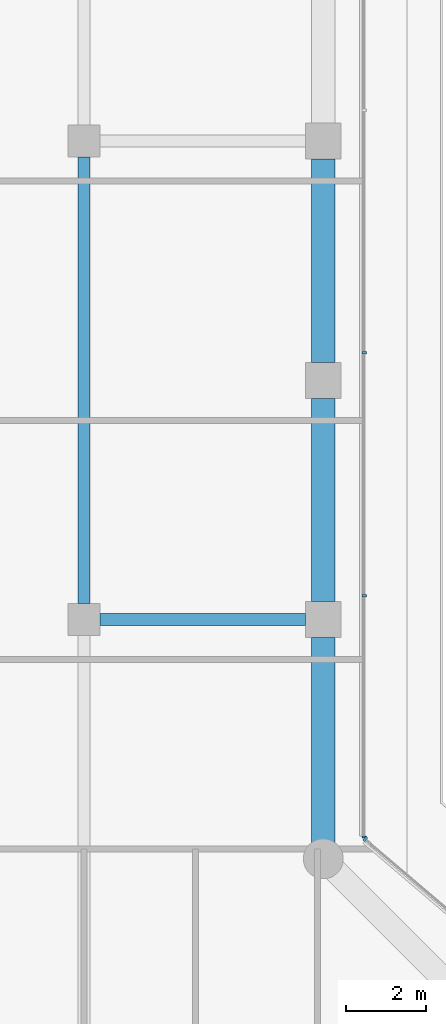
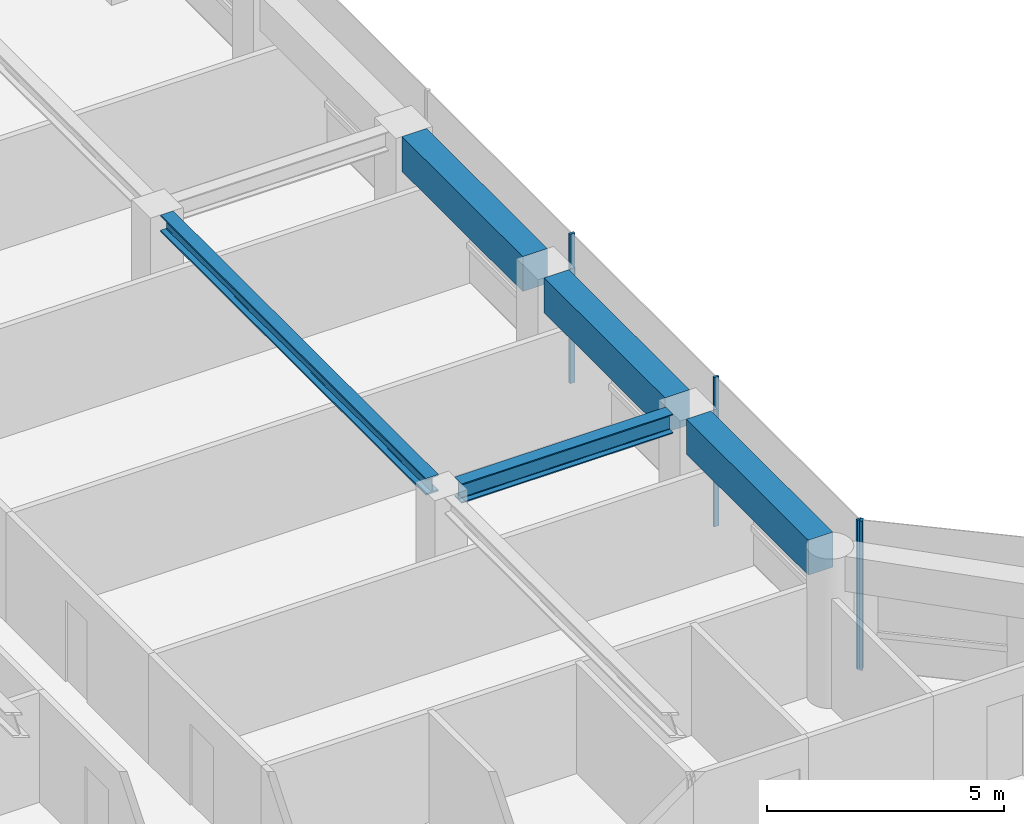
# One storey, part 11 of 25: 5 beams, 4 members, 2 elements without a shape of their own.
"""IFC4 building model written with IfcOpenShell, lengths in metres."""

from ifc_helpers import new_model, si_unit, direction, frame, origin, origin_2d, place, context, subcontext, project, spatial, rectangle, i_section, extrude, material, layer, layer_set, material_profile, profile_set, type_object, element, aggregate, save


model = new_model("IFC4")

# Units and contexts
model_context = context("Model", 3, precision=1e-05, world=origin(), true_north=direction((0.0, 1.0)))
body_context = subcontext(model_context, "Body", "Model", "MODEL_VIEW")
ifc_project = project(units=[si_unit("LENGTHUNIT", "METRE"), si_unit("AREAUNIT", "SQUARE_METRE"), si_unit("VOLUMEUNIT", "CUBIC_METRE"), si_unit("PLANEANGLEUNIT", "RADIAN"), si_unit("MASSUNIT", "GRAM", prefix="KILO")], contexts=[model_context])

# Site, building, storey
site_placement = place(None, origin())
site = spatial("IfcSite", under=ifc_project, at=site_placement, CompositionType="ELEMENT")
building_placement = place(site_placement, origin())
building = spatial("IfcBuilding", under=site, at=building_placement, Name="Welwitschia Terrace Campus", CompositionType="ELEMENT")
storey_placement = place(building_placement, frame((0.0, 0.0, 92.0)))
storey = spatial("IfcBuildingStorey", under=building, at=storey_placement, Name="L20", CompositionType="ELEMENT", Elevation=92.0)

# Beam
ifc_material_1 = material(Name="Steel S355", Category="steel")
ifc_material_profile_1 = material_profile(ifc_material_1, i_section(OverallWidth=0.306884765625, OverallDepth=0.431884765625, WebThickness=0.02099609375, FlangeThickness=0.0400390625, FilletRadius=0.027099609375, at=origin_2d()))
ifc_profile_set_1 = profile_set([ifc_material_profile_1], Name="Steel S355")
beam_type_1 = type_object("IfcBeamType", Name="Interior girder HE 400 M", PredefinedType="BEAM", material=ifc_profile_set_1)
beam_1_placement = place(storey_placement, frame((18.0, 40.400390625, 3.634033203125), z_axis=(0.0, 1.0, 0.0), x_axis=(-1.0, 0.0, 0.0)))
element("IfcBeam", 1, at=beam_1_placement, inside=storey, type_object=beam_type_1, Name="Girder GB3", PredefinedType="BEAM", context=body_context, shape_type="SweptSolid", body=[
    extrude(i_section(OverallWidth=0.306884765625, OverallDepth=0.431884765625, WebThickness=0.02099609375, FlangeThickness=0.0400390625, FilletRadius=0.027099609375, at=origin_2d()), origin(), (0.0, 0.0, 1.0), 11.19921875),
])

# Curtain wall, member
ifc_material_2 = material(Name="Bronze anodised aluminium", Category="aluminium")
ifc_layer = layer(ifc_material_2, 0.1201171875)
ifc_layer_set = layer_set([ifc_layer], Name="Bronze anodised aluminium")
curtain_wall_type = type_object("IfcCurtainWallType", Name="Curtain wall CW2 tower 6000", PredefinedType="NOTDEFINED", material=ifc_layer_set)
curtain_wall_1_placement = place(storey_placement, origin())
curtain_wall_1 = element("IfcCurtainWall", 2, at=curtain_wall_1_placement, inside=storey, type_object=curtain_wall_type, Name="CW L20.9.0", PredefinedType="NOTDEFINED")
ifc_material_3 = material(Name="Bronze anodised aluminium", Category="aluminium")
ifc_material_profile_2 = material_profile(ifc_material_3, rectangle(XDim=0.1201171875, YDim=0.06005859375, at=origin_2d()))
ifc_profile_set_2 = profile_set([ifc_material_profile_2], Name="Bronze anodised aluminium")
member_type = type_object("IfcMemberType", Name="Mullion 60x120", PredefinedType="MULLION", material=ifc_profile_set_2)
member_1_placement = place(storey_placement, frame((25.052734375, 34.498046875, 0.0), z_axis=(0.0, 0.0, 1.0), x_axis=(-0.64944804833, -0.7604059656, 0.0)))
member_1 = element("IfcMember", 3, at=member_1_placement, type_object=member_type, Name="Mullion L20.9.0.1", PredefinedType="MULLION", context=body_context, shape_type="SweptSolid", body=[
    extrude(rectangle(XDim=0.1201171875, YDim=0.06005859375, at=origin_2d()), origin(), (0.0, 0.0, 1.0), 3.85009765625),
])
aggregate(curtain_wall_1, [member_1])

# Curtain wall, members
curtain_wall_2_placement = place(storey_placement, origin())
curtain_wall_2 = element("IfcCurtainWall", 4, at=curtain_wall_2_placement, inside=storey, type_object=curtain_wall_type, Name="CW L20.10.0", PredefinedType="NOTDEFINED")
member_2_placement = place(storey_placement, frame((25.030029296875, 34.547607421875, 0.0), z_axis=(0.0, 0.0, 1.0), x_axis=(-1.0, 0.0, 0.0)))
member_2 = element("IfcMember", 5, at=member_2_placement, type_object=member_type, Name="Mullion L20.10.0.0", PredefinedType="MULLION", context=body_context, shape_type="SweptSolid", body=[
    extrude(rectangle(XDim=0.1201171875, YDim=0.06005859375, at=origin_2d()), origin(), (0.0, 0.0, 1.0), 3.85009765625),
])
member_3_placement = place(storey_placement, frame((25.030029296875, 40.60302734375, 0.0), z_axis=(0.0, 0.0, 1.0), x_axis=(-1.0, 0.0, 0.0)))
member_3 = element("IfcMember", 6, at=member_3_placement, type_object=member_type, Name="Mullion L20.10.0.1", PredefinedType="MULLION", context=body_context, shape_type="SweptSolid", body=[
    extrude(rectangle(XDim=0.1201171875, YDim=0.06005859375, at=origin_2d()), origin(), (0.0, 0.0, 1.0), 3.85009765625),
])
member_4_placement = place(storey_placement, frame((25.030029296875, 46.6884765625, 0.0), z_axis=(0.0, 0.0, 1.0), x_axis=(-1.0, 0.0, 0.0)))
member_4 = element("IfcMember", 7, at=member_4_placement, type_object=member_type, Name="Mullion L20.10.0.2", PredefinedType="MULLION", context=body_context, shape_type="SweptSolid", body=[
    extrude(rectangle(XDim=0.1201171875, YDim=0.06005859375, at=origin_2d()), origin(), (0.0, 0.0, 1.0), 3.85009765625),
])
aggregate(curtain_wall_2, [member_2, member_3, member_4])

# Beams
ifc_material_4 = material(Name="Steel S355", Category="steel")
ifc_material_profile_3 = material_profile(ifc_material_4, i_section(OverallWidth=0.300048828125, OverallDepth=0.5, WebThickness=0.014404296875, FlangeThickness=0.028076171875, FilletRadius=0.027099609375, at=origin_2d()))
ifc_profile_set_3 = profile_set([ifc_material_profile_3], Name="Steel S355")
beam_type_2 = type_object("IfcBeamType", Name="Primary beam HE 500 B", PredefinedType="BEAM", material=ifc_profile_set_3)
beam_2_placement = place(storey_placement, frame((23.549560546875, 40.0, 3.60009765625), z_axis=(-1.0, 0.0, 0.0), x_axis=(0.0, -1.0, 0.0)))
element("IfcBeam", 8, at=beam_2_placement, inside=storey, type_object=beam_type_2, Name="Primary beam PB3", PredefinedType="BEAM", context=body_context, shape_type="SweptSolid", body=[
    extrude(i_section(OverallWidth=0.300048828125, OverallDepth=0.5, WebThickness=0.014404296875, FlangeThickness=0.028076171875, FilletRadius=0.027099609375, at=origin_2d()), origin(), (0.0, 0.0, 1.0), 5.149169921875),
])
ifc_material_5 = material(Name="Concrete C60/75", Category="concrete")
ifc_material_profile_4 = material_profile(ifc_material_5, rectangle(XDim=0.60009765625, YDim=0.89990234375, at=origin_2d()))
ifc_profile_set_4 = profile_set([ifc_material_profile_4], Name="Concrete C60/75")
beam_type_3 = type_object("IfcBeamType", Name="Ring spandrel 600x900", PredefinedType="SPANDREL", material=ifc_profile_set_4)
beam_3_placement = place(storey_placement, frame((24.0, 34.400390625, 3.39990234375), z_axis=(0.0, 1.0, 0.0), x_axis=(-1.0, 0.0, 0.0)))
element("IfcBeam", 9, at=beam_3_placement, inside=storey, type_object=beam_type_3, Name="Spandrel SP2", PredefinedType="SPANDREL", context=body_context, shape_type="SweptSolid", body=[
    extrude(rectangle(XDim=0.60009765625, YDim=0.89990234375, at=origin_2d()), origin(), (0.0, 0.0, 1.0), 5.149169921875),
])
for number, where, z_axis, x_axis, name in (
    (10, (24.0, 40.450439453125, 3.39990234375), (0.0, 1.0, 0.0), (-1.0, 0.0, 0.0), "Spandrel SP2"),
    (11, (24.0, 46.450439453125, 3.39990234375), (0.0, 1.0, 0.0), (-1.0, 0.0, 0.0), "Spandrel SP2"),
):
    element("IfcBeam", number, at=place(storey_placement, frame(where, z_axis=z_axis, x_axis=x_axis)), inside=storey, type_object=beam_type_3, Name=name, PredefinedType="SPANDREL", context=body_context, shape_type="SweptSolid", body=[
        extrude(rectangle(XDim=0.60009765625, YDim=0.89990234375, at=origin_2d()), origin(), (0.0, 0.0, 1.0), 5.09912109375),
    ])

save(model, "model.ifc")
